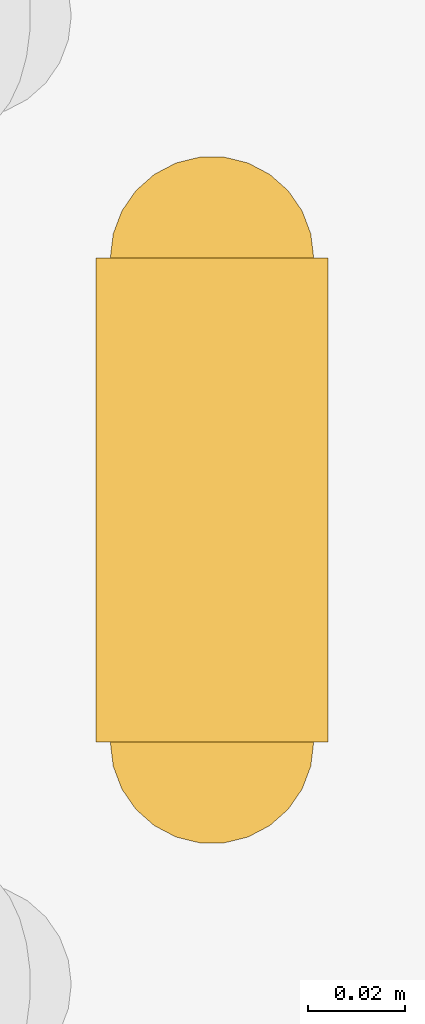
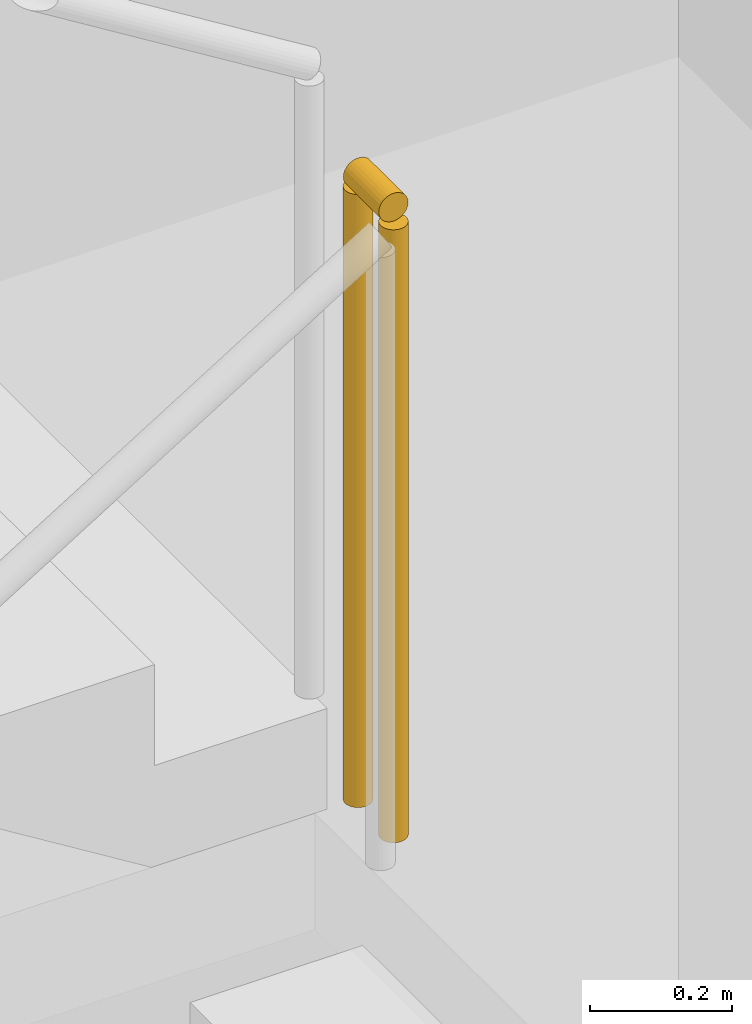
# One storey, part 20 of 25: 1 railing.
"""IFC4 building model written with IfcOpenShell, lengths in metres."""

from ifc_helpers import new_model, si_unit, direction, frame, origin, origin_2d, place, context, subcontext, project, spatial, circle, extrude, material, type_object, element, save


model = new_model("IFC4")

# Units and contexts
model_context = context("Model", 3, precision=1e-05, world=origin(), true_north=direction((0.0, 1.0)))
body_context = subcontext(model_context, "Body", "Model", "MODEL_VIEW")
ifc_project = project(units=[si_unit("LENGTHUNIT", "METRE"), si_unit("AREAUNIT", "SQUARE_METRE"), si_unit("VOLUMEUNIT", "CUBIC_METRE"), si_unit("PLANEANGLEUNIT", "RADIAN"), si_unit("MASSUNIT", "GRAM", prefix="KILO")], contexts=[model_context])

# Site, building, storey
site_placement = place(None, origin())
site = spatial("IfcSite", under=ifc_project, at=site_placement, CompositionType="ELEMENT")
building_placement = place(site_placement, origin())
building = spatial("IfcBuilding", under=site, at=building_placement, Name="Stone Belt Terrace Tower", CompositionType="ELEMENT")
storey_placement = place(building_placement, frame((0.0, 0.0, -13.5)))
storey = spatial("IfcBuildingStorey", under=building, at=storey_placement, Name="B3", CompositionType="ELEMENT", Elevation=-13.5)

# Railing
ifc_material = material(Name="Structural steel C345", Category="steel")
railing_type = type_object("IfcRailingType", Name="Car park guard 1100", PredefinedType="GUARDRAIL", material=ifc_material)
railing_placement = place(storey_placement, frame((-2.739990234375, -19.949951171875, 2.25)))
element("IfcRailing", 1, at=railing_placement, inside=storey, type_object=railing_type, Name="B3 CS5 stair guard 2", PredefinedType="GUARDRAIL", context=body_context, shape_type="SweptSolid", body=[
    extrude(circle(Radius=0.02392578125, at=origin_2d()), frame((0.0, 0.0, 1.076171875), z_axis=(0.0, 1.0, 0.0), x_axis=(-1.0, 0.0, 0.0)), (0.0, 0.0, 1.0), 0.099853515625),
    extrude(circle(Radius=0.02099609375, at=origin_2d()), origin(), (0.0, 0.0, 1.0), 1.052001953125),
    extrude(circle(Radius=0.02099609375, at=origin_2d()), frame((0.0, 0.099853515625, 0.0)), (0.0, 0.0, 1.0), 1.052001953125),
])

save(model, "model.ifc")
